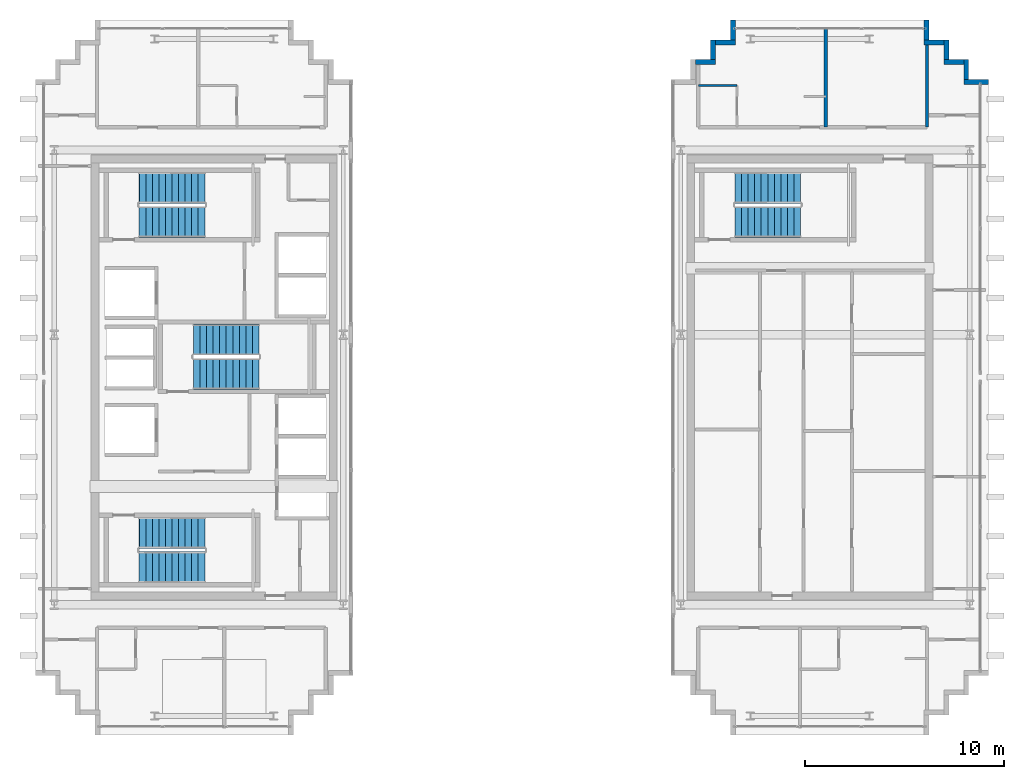
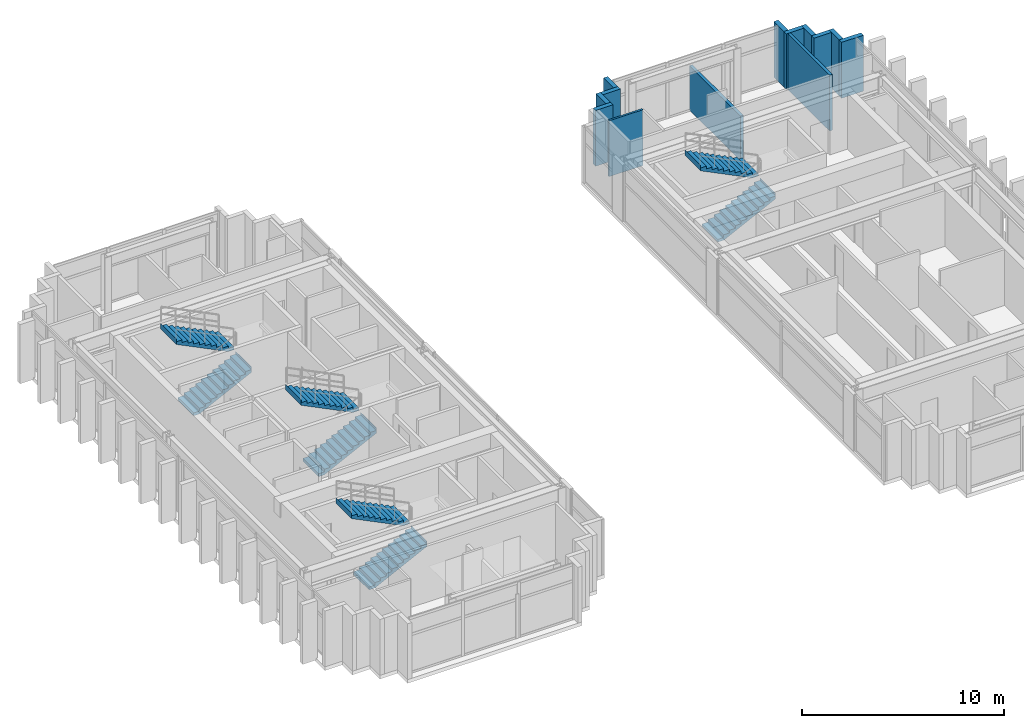
# One storey, part 23 of 25: 13 walls, 8 stair flights, 4 elements without a shape of their own.
"""IFC4 building model written with IfcOpenShell, lengths in metres."""

from ifc_helpers import new_model, si_unit, direction, frame, frame_2d, origin, place, context, subcontext, project, spatial, polyline, rectangle, outline, extrude, source, transform, mapped, material, layer, layer_set, type_object, element, aggregate, save


model = new_model("IFC4")

# Units and contexts
model_context = context("Model", 3, precision=1e-05, world=origin(), true_north=direction((0.0, 1.0)))
body_context = subcontext(model_context, "Body", "Model", "MODEL_VIEW")
ifc_project = project(units=[si_unit("LENGTHUNIT", "METRE"), si_unit("AREAUNIT", "SQUARE_METRE"), si_unit("VOLUMEUNIT", "CUBIC_METRE"), si_unit("PLANEANGLEUNIT", "RADIAN"), si_unit("MASSUNIT", "GRAM", prefix="KILO")], contexts=[model_context])

# Site, building, storey
site_placement = place(None, origin())
site = spatial("IfcSite", under=ifc_project, at=site_placement, CompositionType="ELEMENT")
building_placement = place(site_placement, origin())
building = spatial("IfcBuilding", under=site, at=building_placement, Name="Ocotamira Hotel", CompositionType="ELEMENT")
storey_placement = place(building_placement, frame((0.0, 0.0, 261.60009765625)))
storey = spatial("IfcBuildingStorey", under=building, at=storey_placement, Name="L66", CompositionType="ELEMENT", Elevation=261.60009765625)

# Walls
ifc_material_1 = material(Name="Precast concrete C45/55", Category="concrete")
ifc_layer_1 = layer(ifc_material_1, 0.25)
ifc_layer_set_1 = layer_set([ifc_layer_1], Name="Precast concrete C45/55")
wall_type_1 = type_object("IfcWallType", Name="WL-EXT-SER-250", PredefinedType="SOLIDWALL", material=ifc_layer_set_1)
wall_1_placement = place(storey_placement, frame((56.0, 40.875, 0.0), z_axis=(0.0, 0.0, 1.0), x_axis=(-1.0, 0.0, 0.0)))
element("IfcWall", 1, at=wall_1_placement, inside=storey, type_object=wall_type_1, Name="L66 -E Serrated Corner Wall 07", PredefinedType="SOLIDWALL", context=body_context, shape_type="SweptSolid", body=[
    extrude(rectangle(XDim=1.25, YDim=0.25, at=frame_2d((0.625, 0.0))), origin(), (0.0, 0.0, 1.0), 3.3798828125),
])
for number, where, z_axis, x_axis, name in (
    (2, (54.875, 41.0, 0.0), (0.0, 0.0, 1.0), (0.0, 1.0, 0.0), "L66 -E Serrated Corner Wall 08"),
    (3, (54.75, 41.875, 0.0), (0.0, 0.0, 1.0), (-1.0, 0.0, 0.0), "L66 -E Serrated Corner Wall 09"),
    (4, (53.875, 42.0, 0.0), (0.0, 0.0, 1.0), (0.0, 1.0, 0.0), "L66 -E Serrated Corner Wall 10"),
    (5, (53.75, 42.875, 0.0), (0.0, 0.0, 1.0), (-1.0, 0.0, 0.0), "L66 -E Serrated Corner Wall 11"),
    (6, (52.875, 43.0, 0.0), (0.0, 0.0, 1.0), (0.0, 1.0, 0.0), "L66 -E Serrated Corner Wall 12"),
    (7, (43.125, 44.0, 0.0), (0.0, 0.0, 1.0), (0.0, -1.0, 0.0), "L66 -E Serrated Corner Wall 13"),
    (8, (43.25, 42.875, 0.0), (0.0, 0.0, 1.0), (-1.0, 0.0, 0.0), "L66 -E Serrated Corner Wall 14"),
    (9, (42.125, 43.0, 0.0), (0.0, 0.0, 1.0), (0.0, -1.0, 0.0), "L66 -E Serrated Corner Wall 15"),
    (10, (42.25, 41.875, 0.0), (0.0, 0.0, 1.0), (-1.0, 0.0, 0.0), "L66 -E Serrated Corner Wall 16"),
):
    element("IfcWall", number, at=place(storey_placement, frame(where, z_axis=z_axis, x_axis=x_axis)), inside=storey, type_object=wall_type_1, Name=name, PredefinedType="SOLIDWALL", context=body_context, shape_type="SweptSolid", body=[
        extrude(rectangle(XDim=1.0, YDim=0.25, at=frame_2d((0.5, 0.0))), origin(), (0.0, 0.0, 1.0), 3.3798828125),
    ])
ifc_material_2 = material(Name="Moisture-resistant en-suite tile and gypsum partition", Category="gypsum")
ifc_layer_2 = layer(ifc_material_2, 0.1201171875)
ifc_layer_set_2 = layer_set([ifc_layer_2], Name="Moisture-resistant en-suite tile and gypsum partition")
wall_type_2 = type_object("IfcWallType", Name="WL-PART-120", PredefinedType="PARTITIONING", material=ifc_layer_set_2)
wall_2_placement = place(storey_placement, frame((41.3798828125, 40.699951171875, 0.0), z_axis=(0.0, 0.0, 1.0), x_axis=(1.0, 0.0, 0.0)))
element("IfcWall", 11, at=wall_2_placement, inside=storey, type_object=wall_type_2, Name="L66 Interior Wall PW-L66-SPE1N-BAN1", PredefinedType="PARTITIONING", context=body_context, shape_type="SweptSolid", body=[
    extrude(rectangle(XDim=1.9501953125, YDim=0.1201171875, at=frame_2d((0.97509765625, 0.0))), origin(), (0.0, 0.0, 1.0), 3.3798828125),
])
ifc_material_3 = material(Name="Acoustic double-stud hospitality gypsum partition", Category="gypsum")
ifc_layer_3 = layer(ifc_material_3, 0.159912109375)
ifc_layer_set_3 = layer_set([ifc_layer_3], Name="Acoustic double-stud hospitality gypsum partition")
wall_type_3 = type_object("IfcWallType", Name="WL-PART-160", PredefinedType="PARTITIONING", material=ifc_layer_set_3)
wall_3_placement = place(storey_placement, frame((52.89990234375, 38.60009765625, 0.0), z_axis=(0.0, 0.0, 1.0), x_axis=(0.0, 1.0, 0.0)))
element("IfcWall", 12, at=wall_3_placement, inside=storey, type_object=wall_type_3, Name="L66 Interior Wall PW-L66-SPE1N-PWEND", PredefinedType="PARTITIONING", context=body_context, shape_type="SweptSolid", body=[
    extrude(rectangle(XDim=4.139892578125, YDim=0.159912109375, at=frame_2d((2.06982421875, 0.0))), origin(), (0.0, 0.0, 1.0), 3.3798828125),
])
ifc_material_4 = material(Name="Double-stud suite party gypsum partition", Category="gypsum")
ifc_layer_4 = layer(ifc_material_4, 0.175048828125)
ifc_layer_set_4 = layer_set([ifc_layer_4], Name="Double-stud suite party gypsum partition")
wall_type_4 = type_object("IfcWallType", Name="WL-PART-175", PredefinedType="PARTITIONING", material=ifc_layer_set_4)
wall_4_placement = place(storey_placement, frame((47.800048828125, 38.60009765625, 0.0), z_axis=(0.0, 0.0, 1.0), x_axis=(0.0, 1.0, 0.0)))
element("IfcWall", 13, at=wall_4_placement, inside=storey, type_object=wall_type_4, Name="L66 Interior Wall PW-L66-SPE1N-PW1", PredefinedType="PARTITIONING", context=body_context, shape_type="SweptSolid", body=[
    extrude(rectangle(XDim=5.039794921875, YDim=0.175048828125, at=frame_2d((2.52001953125, 0.0))), origin(), (0.0, 0.0, 1.0), 2.68701171875),
])

# Stair, stair flights
ifc_material_5 = material(Name="Concrete C40/50", Category="concrete")
stair_type = type_object("IfcStairType", Name="ST-CORE-1560", PredefinedType="HALF_TURN_STAIR", material=ifc_material_5)
stair_1_placement = place(storey_placement, origin())
stair_1 = element("IfcStair", 14, at=stair_1_placement, inside=storey, type_object=stair_type, Name="L66 Exit Stair ST-1", PredefinedType="HALF_TURN_STAIR")
stair_flight_type = type_object("IfcStairFlightType", Name="STF-CORE-1560", PredefinedType="STRAIGHT", material=ifc_material_5)
shared_shape = source(origin(), body_context, "Body", "SweptSolid", [
    extrude(outline(polyline([(-0.00390625, 0.0), (-0.00390625, 0.16357421875), (0.330078125, 0.16357421875), (0.330078125, 0.327392578125), (0.659912109375, 0.327392578125), (0.659912109375, 0.490966796875), (0.989990234375, 0.490966796875), (0.989990234375, 0.654541015625), (1.320068359375, 0.654541015625), (1.320068359375, 0.818115234375), (1.64990234375, 0.818115234375), (1.64990234375, 0.98193359375), (1.97998046875, 0.98193359375), (1.97998046875, 1.1455078125), (2.31005859375, 1.1455078125), (2.31005859375, 1.30908203125), (2.639892578125, 1.30908203125), (2.639892578125, 1.47265625), (2.969970703125, 1.47265625), (2.969970703125, 1.636474609375), (3.300048828125, 1.636474609375), (3.300048828125, 1.800048828125), (3.303955078125, 1.800048828125), (3.303955078125, 1.468994140625), (0.33740234375, 0.0), (-0.00390625, 0.0)])), frame((0.0, 0.780029296875, 0.0), z_axis=(0.0, -1.0, 0.0), x_axis=(1.0, 0.0, 0.0)), (0.0, 0.0, 1.0), 1.56005859375),
])
stair_flight_1_placement = place(storey_placement, frame((13.22998046875, 16.449951171875, 0.0), z_axis=(0.0, 0.0, 1.0), x_axis=(1.0, 0.0, 0.0)))
stair_flight_1 = element("IfcStairFlight", 15, at=stair_flight_1_placement, type_object=stair_flight_type, Name="ST-1 flight 1", NumberOfRisers=11, NumberOfTreads=10, PredefinedType="STRAIGHT", RiserHeight=0.163636364, TreadLength=0.33, context=body_context, shape_type="MappedRepresentation", body=[
    mapped(shared_shape, transform((0.0, 0.0, 0.0), scale=1.0)),
])
stair_flight_2_placement = place(storey_placement, frame((16.530029296875, 18.169921875, 1.7998046875), z_axis=(0.0, 0.0, 1.0), x_axis=(-1.0, 0.0, 0.0)))
stair_flight_2 = element("IfcStairFlight", 16, at=stair_flight_2_placement, type_object=stair_flight_type, Name="ST-1 flight 2", NumberOfRisers=11, NumberOfTreads=10, PredefinedType="STRAIGHT", RiserHeight=0.163636364, TreadLength=0.33, context=body_context, shape_type="MappedRepresentation", body=[
    mapped(shared_shape, transform((0.0, 0.0, 0.0), scale=1.0)),
])
aggregate(stair_1, [stair_flight_1, stair_flight_2])

stair_2_placement = place(storey_placement, origin())
stair_2 = element("IfcStair", 17, at=stair_2_placement, inside=storey, type_object=stair_type, Name="L66 Exit Stair ST-2", PredefinedType="HALF_TURN_STAIR")
stair_flight_3_placement = place(storey_placement, frame((13.22998046875, 33.830078125, 0.0), z_axis=(0.0, 0.0, 1.0), x_axis=(1.0, 0.0, 0.0)))
stair_flight_3 = element("IfcStairFlight", 18, at=stair_flight_3_placement, type_object=stair_flight_type, Name="ST-2 flight 1", NumberOfRisers=11, NumberOfTreads=10, PredefinedType="STRAIGHT", RiserHeight=0.163636364, TreadLength=0.33, context=body_context, shape_type="MappedRepresentation", body=[
    mapped(shared_shape, transform((0.0, 0.0, 0.0), scale=1.0)),
])
stair_flight_4_placement = place(storey_placement, frame((16.530029296875, 35.550048828125, 1.7998046875), z_axis=(0.0, 0.0, 1.0), x_axis=(-1.0, 0.0, 0.0)))
stair_flight_4 = element("IfcStairFlight", 19, at=stair_flight_4_placement, type_object=stair_flight_type, Name="ST-2 flight 2", NumberOfRisers=11, NumberOfTreads=10, PredefinedType="STRAIGHT", RiserHeight=0.163636364, TreadLength=0.33, context=body_context, shape_type="MappedRepresentation", body=[
    mapped(shared_shape, transform((0.0, 0.0, 0.0), scale=1.0)),
])
aggregate(stair_2, [stair_flight_3, stair_flight_4])

stair_3_placement = place(storey_placement, origin())
stair_3 = element("IfcStair", 20, at=stair_3_placement, inside=storey, type_object=stair_type, Name="L66 Exit Stair ST-3", PredefinedType="HALF_TURN_STAIR")
stair_flight_5_placement = place(storey_placement, frame((15.9599609375, 26.179931640625, 0.0), z_axis=(0.0, 0.0, 1.0), x_axis=(1.0, 0.0, 0.0)))
stair_flight_5 = element("IfcStairFlight", 21, at=stair_flight_5_placement, type_object=stair_flight_type, Name="ST-3 flight 1", NumberOfRisers=11, NumberOfTreads=10, PredefinedType="STRAIGHT", RiserHeight=0.163636364, TreadLength=0.33, context=body_context, shape_type="MappedRepresentation", body=[
    mapped(shared_shape, transform((0.0, 0.0, 0.0), scale=1.0)),
])
stair_flight_6_placement = place(storey_placement, frame((19.260009765625, 27.89990234375, 1.7998046875), z_axis=(0.0, 0.0, 1.0), x_axis=(-1.0, 0.0, 0.0)))
stair_flight_6 = element("IfcStairFlight", 22, at=stair_flight_6_placement, type_object=stair_flight_type, Name="ST-3 flight 2", NumberOfRisers=11, NumberOfTreads=10, PredefinedType="STRAIGHT", RiserHeight=0.163636364, TreadLength=0.33, context=body_context, shape_type="MappedRepresentation", body=[
    mapped(shared_shape, transform((0.0, 0.0, 0.0), scale=1.0)),
])
aggregate(stair_3, [stair_flight_5, stair_flight_6])

stair_4_placement = place(storey_placement, origin())
stair_4 = element("IfcStair", 23, at=stair_4_placement, inside=storey, type_object=stair_type, Name="L66 Exit Stair ST-4", PredefinedType="HALF_TURN_STAIR")
stair_flight_7_placement = place(storey_placement, frame((43.22998046875, 33.830078125, 0.0), z_axis=(0.0, 0.0, 1.0), x_axis=(1.0, 0.0, 0.0)))
stair_flight_7 = element("IfcStairFlight", 24, at=stair_flight_7_placement, type_object=stair_flight_type, Name="ST-4 flight 1", NumberOfRisers=11, NumberOfTreads=10, PredefinedType="STRAIGHT", RiserHeight=0.163636364, TreadLength=0.33, context=body_context, shape_type="MappedRepresentation", body=[
    mapped(shared_shape, transform((0.0, 0.0, 0.0), scale=1.0)),
])
stair_flight_8_placement = place(storey_placement, frame((46.530029296875, 35.550048828125, 1.7998046875), z_axis=(0.0, 0.0, 1.0), x_axis=(-1.0, 0.0, 0.0)))
stair_flight_8 = element("IfcStairFlight", 25, at=stair_flight_8_placement, type_object=stair_flight_type, Name="ST-4 flight 2", NumberOfRisers=11, NumberOfTreads=10, PredefinedType="STRAIGHT", RiserHeight=0.163636364, TreadLength=0.33, context=body_context, shape_type="MappedRepresentation", body=[
    mapped(shared_shape, transform((0.0, 0.0, 0.0), scale=1.0)),
])
aggregate(stair_4, [stair_flight_7, stair_flight_8])

save(model, "model.ifc")
